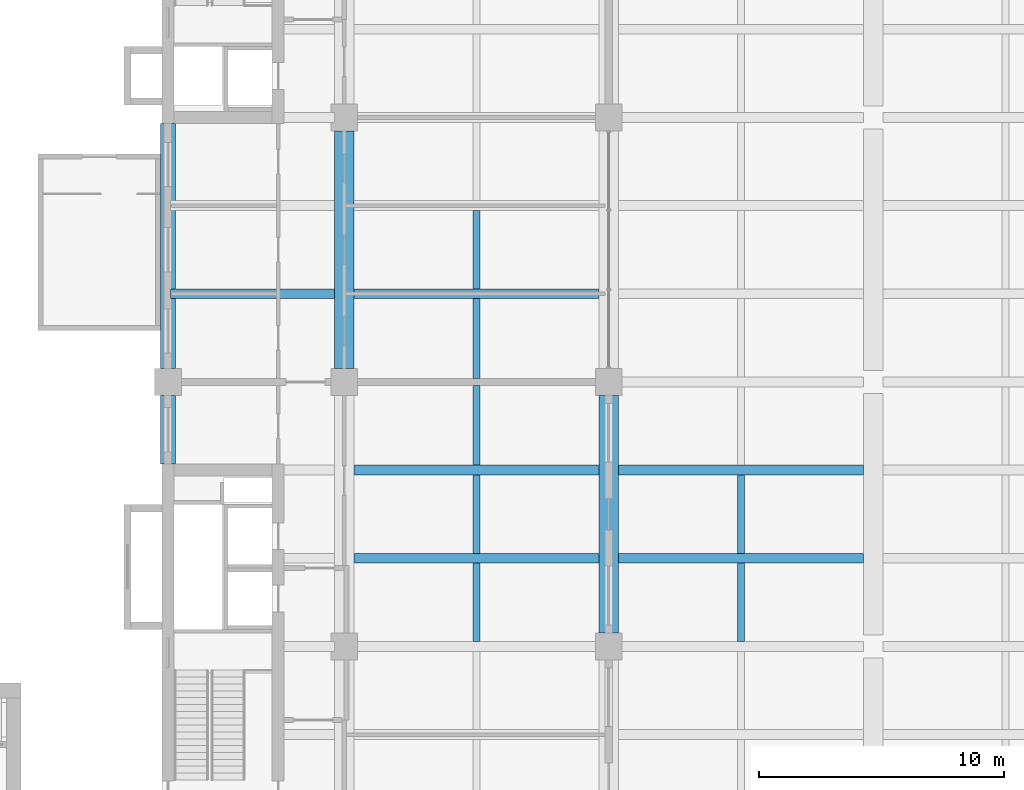
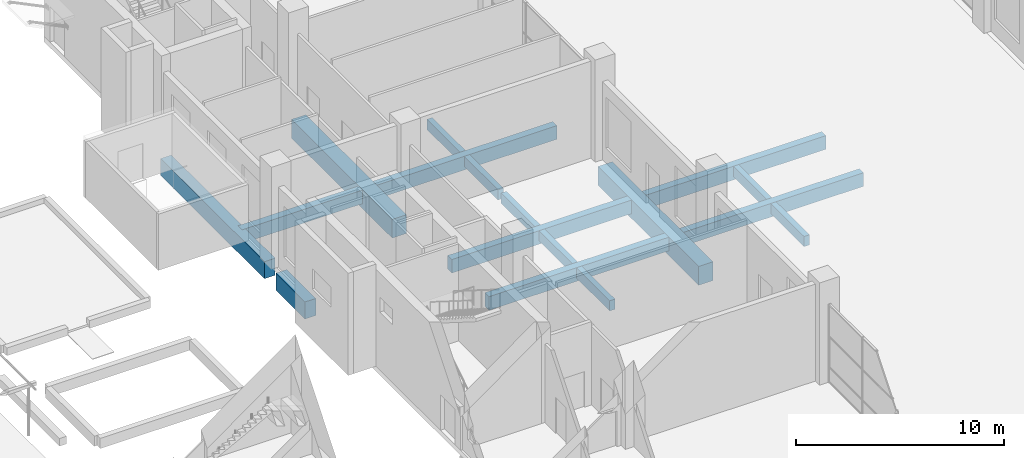
# One storey, part 24 of 71: 17 beams.
"""IFC4 building model written with IfcOpenShell, lengths in metres."""

from ifc_helpers import new_model, si_unit, direction, frame, origin, origin_2d, place, context, subcontext, project, spatial, rectangle, extrude, material, material_profile, profile_set, type_object, element, save


model = new_model("IFC4")

# Units and contexts
model_context = context("Model", 3, precision=1e-05, world=origin(), true_north=direction((0.0, 1.0)))
body_context = subcontext(model_context, "Body", "Model", "MODEL_VIEW")
ifc_project = project(units=[si_unit("LENGTHUNIT", "METRE"), si_unit("AREAUNIT", "SQUARE_METRE"), si_unit("VOLUMEUNIT", "CUBIC_METRE"), si_unit("PLANEANGLEUNIT", "RADIAN"), si_unit("MASSUNIT", "GRAM", prefix="KILO")], contexts=[model_context])

# Site, building, storey
site_placement = place(None, origin())
site = spatial("IfcSite", under=ifc_project, at=site_placement, CompositionType="ELEMENT")
building_placement = place(site_placement, origin())
building = spatial("IfcBuilding", under=site, at=building_placement, Name="Basin Gate Institute", CompositionType="ELEMENT")
storey_placement = place(building_placement, origin())
storey = spatial("IfcBuildingStorey", under=building, at=storey_placement, Name="L00", CompositionType="ELEMENT", Elevation=0.0)

# Beams
ifc_material_1 = material(Name="Concrete 40 MPa", Category="concrete")
ifc_material_profile_1 = material_profile(ifc_material_1, rectangle(XDim=0.39990234375, YDim=0.800048828125, at=origin_2d()), Name="Beam B2 400 x 800")
ifc_profile_set_1 = profile_set([ifc_material_profile_1], Name="Concrete 40 MPa")
beam_type_1 = type_object("IfcBeamType", Name="Beam B2 R180", PredefinedType="BEAM", material=ifc_profile_set_1)
for number, where, z_axis, x_axis, name in (
    (1, (68.800048828125, 71.10009765625, -0.699951171875), (1.0, 0.0, 0.0), (0.0, 1.0, 0.0), "BEAM/L00/W/EW/11"),
    (2, (68.800048828125, 74.699951171875, -0.699951171875), (1.0, 0.0, 0.0), (0.0, 1.0, 0.0), "BEAM/L00/W/EW/12"),
    (3, (68.800048828125, 81.89990234375, -0.699951171875), (1.0, 0.0, 0.0), (0.0, 1.0, 0.0), "BEAM/L00/W/EW/14"),
):
    element("IfcBeam", number, at=place(storey_placement, frame(where, z_axis=z_axis, x_axis=x_axis)), inside=storey, type_object=beam_type_1, material=ifc_profile_set_1, Name=name, PredefinedType="BEAM", context=body_context, shape_type="SweptSolid", body=[
        extrude(rectangle(XDim=0.39990234375, YDim=0.800048828125, at=origin_2d()), origin(), (0.0, 0.0, 1.0), 10.0),
    ])
beam_1_placement = place(storey_placement, frame((61.300048828125, 81.89990234375, -0.699951171875), z_axis=(1.0, 0.0, 0.0), x_axis=(0.0, 1.0, 0.0)))
element("IfcBeam", 4, at=beam_1_placement, inside=storey, type_object=beam_type_1, material=ifc_profile_set_1, Name="BEAM/L00/W/OUT/14", PredefinedType="BEAM", context=body_context, shape_type="SweptSolid", body=[
    extrude(rectangle(XDim=0.39990234375, YDim=0.800048828125, at=origin_2d()), origin(), (0.0, 0.0, 1.0), 6.699951171875),
])
for number, where, z_axis, x_axis, name in (
    (5, (79.60009765625, 71.10009765625, -0.699951171875), (1.0, 0.0, 0.0), (0.0, 1.0, 0.0), "BEAM/L00/CAN/W/11"),
    (6, (79.60009765625, 74.699951171875, -0.699951171875), (1.0, 0.0, 0.0), (0.0, 1.0, 0.0), "BEAM/L00/CAN/W/12"),
):
    element("IfcBeam", number, at=place(storey_placement, frame(where, z_axis=z_axis, x_axis=x_axis)), inside=storey, type_object=beam_type_1, material=ifc_profile_set_1, Name=name, PredefinedType="BEAM", context=body_context, shape_type="SweptSolid", body=[
        extrude(rectangle(XDim=0.39990234375, YDim=0.800048828125, at=origin_2d()), origin(), (0.0, 0.0, 1.0), 10.0),
    ])
ifc_material_2 = material(Name="Concrete 50 MPa", Category="concrete")
ifc_material_profile_2 = material_profile(ifc_material_2, rectangle(XDim=0.60009765625, YDim=1.0, at=origin_2d()), Name="Edge beam EB2 600 x 1000")
ifc_profile_set_2 = profile_set([ifc_material_profile_2], Name="Concrete 50 MPa")
beam_type_2 = type_object("IfcBeamType", Name="Edge beam EB2 R180", PredefinedType="SPANDREL", material=ifc_profile_set_2)
beam_2_placement = place(storey_placement, frame((61.199951171875, 78.85009765625, -0.800048828125), z_axis=(0.0, 1.0, 0.0), x_axis=(-1.0, 0.0, 0.0)))
element("IfcBeam", 7, at=beam_2_placement, inside=storey, type_object=beam_type_2, material=ifc_profile_set_2, Name="BEAM/L00/W/EDGE/4", PredefinedType="SPANDREL", context=body_context, shape_type="SweptSolid", body=[
    extrude(rectangle(XDim=0.60009765625, YDim=1.0, at=origin_2d()), origin(), (0.0, 0.0, 1.0), 10.0),
])
ifc_material_3 = material(Name="Concrete 50 MPa", Category="concrete")
ifc_material_profile_3 = material_profile(ifc_material_3, rectangle(XDim=0.60009765625, YDim=1.0, at=origin_2d()), Name="Edge return beam EB4 600 x 1000")
ifc_profile_set_3 = profile_set([ifc_material_profile_3], Name="Concrete 50 MPa")
beam_type_3 = type_object("IfcBeamType", Name="Edge return beam EB4 R180", PredefinedType="SPANDREL", material=ifc_profile_set_3)
beam_3_placement = place(storey_placement, frame((61.199951171875, 74.949951171875, -0.800048828125), z_axis=(0.0, 1.0, 0.0), x_axis=(-1.0, 0.0, 0.0)))
element("IfcBeam", 8, at=beam_3_placement, inside=storey, type_object=beam_type_3, material=ifc_profile_set_3, Name="BEAM/L00/W/EDGE/3", PredefinedType="SPANDREL", context=body_context, shape_type="SweptSolid", body=[
    extrude(rectangle(XDim=0.60009765625, YDim=1.0, at=origin_2d()), origin(), (0.0, 0.0, 1.0), 2.800048828125),
])
ifc_material_4 = material(Name="Concrete 50 MPa", Category="concrete")
ifc_material_profile_4 = material_profile(ifc_material_4, rectangle(XDim=0.800048828125, YDim=1.10009765625, at=origin_2d()), Name="Girder G2 800 x 1100")
ifc_profile_set_4 = profile_set([ifc_material_profile_4], Name="Concrete 50 MPa")
beam_type_4 = type_object("IfcBeamType", Name="Girder G2 R180", PredefinedType="BEAM", material=ifc_profile_set_4)
for number, where, z_axis, x_axis, name in (
    (9, (68.39990234375, 78.85009765625, -0.85009765625), (0.0, 1.0, 0.0), (-1.0, 0.0, 0.0), "GIR/L00/W5/5"),
    (10, (79.199951171875, 68.050048828125, -0.85009765625), (0.0, 1.0, 0.0), (-1.0, 0.0, 0.0), "GIR/L00/W6/4"),
):
    element("IfcBeam", number, at=place(storey_placement, frame(where, z_axis=z_axis, x_axis=x_axis)), inside=storey, type_object=beam_type_4, material=ifc_profile_set_4, Name=name, PredefinedType="BEAM", context=body_context, shape_type="SweptSolid", body=[
        extrude(rectangle(XDim=0.800048828125, YDim=1.10009765625, at=origin_2d()), origin(), (0.0, 0.0, 1.0), 9.699951171875),
    ])
ifc_material_5 = material(Name="Concrete 40 MPa", Category="concrete")
ifc_material_profile_5 = material_profile(ifc_material_5, rectangle(XDim=0.300048828125, YDim=0.60009765625, at=origin_2d()), Name="Rib R2 300 x 600")
ifc_profile_set_5 = profile_set([ifc_material_profile_5], Name="Concrete 40 MPa")
beam_type_5 = type_object("IfcBeamType", Name="Rib R2 R180", PredefinedType="JOIST", material=ifc_profile_set_5)
for number, where, z_axis, x_axis, name in (
    (11, (73.800048828125, 67.699951171875, -0.60009765625), (0.0, 1.0, 0.0), (-1.0, 0.0, 0.0), "BEAM/L00/W/RIB/10"),
    (12, (73.800048828125, 71.300048828125, -0.60009765625), (0.0, 1.0, 0.0), (-1.0, 0.0, 0.0), "BEAM/L00/W/RIB/11"),
):
    element("IfcBeam", number, at=place(storey_placement, frame(where, z_axis=z_axis, x_axis=x_axis)), inside=storey, type_object=beam_type_5, material=ifc_profile_set_5, Name=name, PredefinedType="JOIST", context=body_context, shape_type="SweptSolid", body=[
        extrude(rectangle(XDim=0.300048828125, YDim=0.60009765625, at=origin_2d()), origin(), (0.0, 0.0, 1.0), 3.199951171875),
    ])
for number, where, z_axis, x_axis, name in (
    (13, (73.800048828125, 74.89990234375, -0.60009765625), (0.0, 1.0, 0.0), (-1.0, 0.0, 0.0), "BEAM/L00/W/RIB/12"),
    (14, (73.800048828125, 78.449951171875, -0.60009765625), (0.0, 1.0, 0.0), (-1.0, 0.0, 0.0), "BEAM/L00/W/RIB/13"),
):
    element("IfcBeam", number, at=place(storey_placement, frame(where, z_axis=z_axis, x_axis=x_axis)), inside=storey, type_object=beam_type_5, material=ifc_profile_set_5, Name=name, PredefinedType="JOIST", context=body_context, shape_type="SweptSolid", body=[
        extrude(rectangle(XDim=0.300048828125, YDim=0.60009765625, at=origin_2d()), origin(), (0.0, 0.0, 1.0), 3.25),
    ])
for number, where, z_axis, x_axis, name in (
    (15, (73.800048828125, 82.10009765625, -0.60009765625), (0.0, 1.0, 0.0), (-1.0, 0.0, 0.0), "BEAM/L00/W/RIB/14"),
    (16, (84.60009765625, 67.699951171875, -0.60009765625), (0.0, 1.0, 0.0), (-1.0, 0.0, 0.0), "BEAM/L00/CAN/RIBW/10"),
    (17, (84.60009765625, 71.300048828125, -0.60009765625), (0.0, 1.0, 0.0), (-1.0, 0.0, 0.0), "BEAM/L00/CAN/RIBW/11"),
):
    element("IfcBeam", number, at=place(storey_placement, frame(where, z_axis=z_axis, x_axis=x_axis)), inside=storey, type_object=beam_type_5, material=ifc_profile_set_5, Name=name, PredefinedType="JOIST", context=body_context, shape_type="SweptSolid", body=[
        extrude(rectangle(XDim=0.300048828125, YDim=0.60009765625, at=origin_2d()), origin(), (0.0, 0.0, 1.0), 3.199951171875),
    ])

save(model, "model.ifc")
